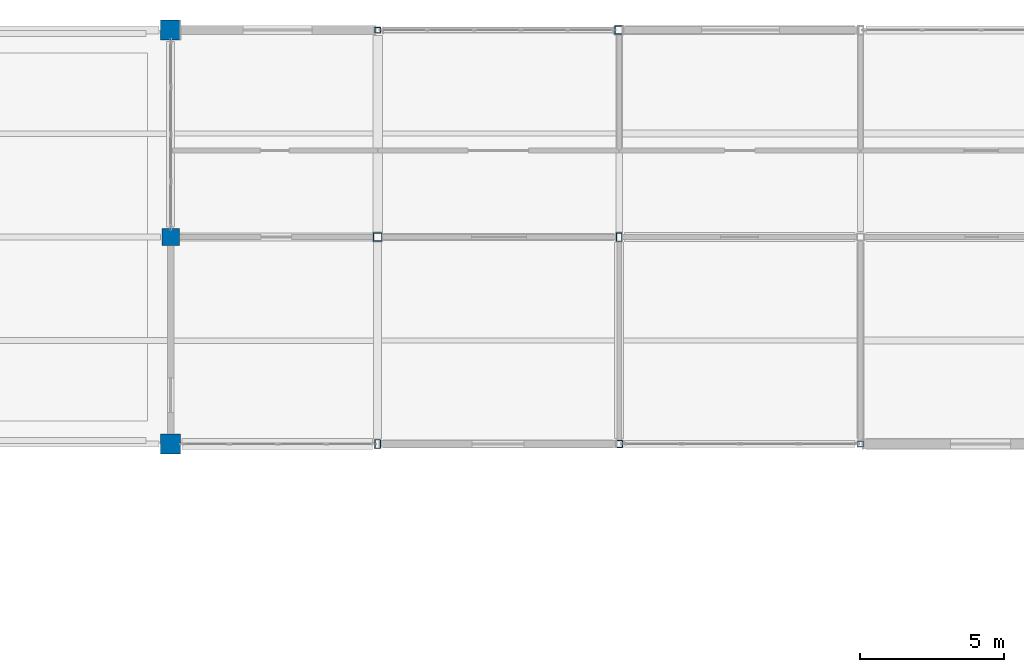
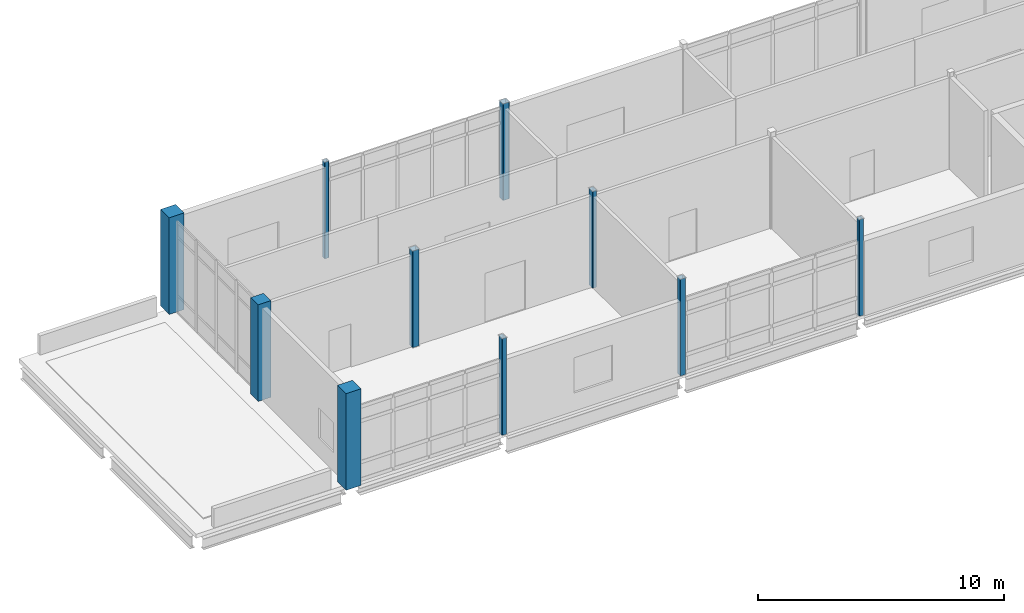
# One storey, part 10 of 153: 10 columns.
"""IFC4 building model written with IfcOpenShell, lengths in metres."""

from ifc_helpers import new_model, si_unit, direction, frame, origin, origin_2d, place, context, subcontext, project, spatial, rectangle, hollow_rectangle, extrude, material, material_profile, profile_set, type_object, element, save


model = new_model("IFC4")

# Units and contexts
model_context = context("Model", 3, precision=1e-05, world=origin(), true_north=direction((0.0, 1.0)))
body_context = subcontext(model_context, "Body", "Model", "MODEL_VIEW")
ifc_project = project(units=[si_unit("LENGTHUNIT", "METRE"), si_unit("AREAUNIT", "SQUARE_METRE"), si_unit("VOLUMEUNIT", "CUBIC_METRE"), si_unit("PLANEANGLEUNIT", "RADIAN"), si_unit("MASSUNIT", "GRAM", prefix="KILO")], contexts=[model_context])

# Site, building, storey
site_placement = place(None, origin())
site = spatial("IfcSite", under=ifc_project, at=site_placement, CompositionType="ELEMENT")
building_placement = place(site_placement, origin())
building = spatial("IfcBuilding", under=site, at=building_placement, Name="Calvrana Isthmian Art Gallery", CompositionType="ELEMENT")
storey_placement = place(building_placement, frame((0.0, 0.0, 10.199951171875)))
storey = spatial("IfcBuildingStorey", under=building, at=storey_placement, Name="L02", CompositionType="ELEMENT", Elevation=10.199951171875)

# Columns
ifc_material_1 = material(Name="Concrete C40/50", Category="concrete")
ifc_material_profile_1 = material_profile(ifc_material_1, rectangle(XDim=0.60009765625, YDim=0.60009765625, at=origin_2d()), Name="RC600X600")
ifc_profile_set_1 = profile_set([ifc_material_profile_1], Name="Concrete C40/50")
column_type_1 = type_object("IfcColumnType", Name="COL-RC-RC600X600", PredefinedType="COLUMN", material=ifc_profile_set_1)
column_1_placement = place(storey_placement, frame((14.39990234375, 105.60009765625, 0.0), z_axis=(0.0, 0.0, 1.0), x_axis=(1.0, 0.0, 0.0)))
element("IfcColumn", 1, at=column_1_placement, inside=storey, type_object=column_type_1, Name="Column 03/O L02", PredefinedType="COLUMN", context=body_context, shape_type="SweptSolid", body=[
    extrude(rectangle(XDim=0.60009765625, YDim=0.60009765625, at=origin_2d()), origin(), (0.0, 0.0, 1.0), 4.800048828125),
])
ifc_material_profile_2 = material_profile(ifc_material_1, rectangle(XDim=0.699951171875, YDim=0.699951171875, at=origin_2d()), Name="RC700X700")
ifc_profile_set_2 = profile_set([ifc_material_profile_2], Name="Concrete C40/50")
column_type_2 = type_object("IfcColumnType", Name="COL-RC-RC700X700", PredefinedType="COLUMN", material=ifc_profile_set_2)
for number, where, z_axis, x_axis, name in (
    (2, (14.39990234375, 98.39990234375, 0.0), (0.0, 0.0, 1.0), (1.0, 0.0, 0.0), "Column 03/N L02"),
    (3, (14.39990234375, 112.800048828125, 0.0), (0.0, 0.0, 1.0), (1.0, 0.0, 0.0), "Column 03/P L02"),
):
    element("IfcColumn", number, at=place(storey_placement, frame(where, z_axis=z_axis, x_axis=x_axis)), inside=storey, type_object=column_type_2, Name=name, PredefinedType="COLUMN", context=body_context, shape_type="SweptSolid", body=[
        extrude(rectangle(XDim=0.699951171875, YDim=0.699951171875, at=origin_2d()), origin(), (0.0, 0.0, 1.0), 4.800048828125),
    ])
ifc_material_2 = material(Name="Steel ASTM A500 Gr C", Category="steel")
ifc_material_profile_3 = material_profile(ifc_material_2, hollow_rectangle(XDim=0.203125, YDim=0.203125, WallThickness=0.0126953125, OuterFilletRadius=0.02490234375, at=origin_2d()), Name="HSS203X203X12.7")
ifc_profile_set_3 = profile_set([ifc_material_profile_3], Name="Steel ASTM A500 Gr C")
column_type_3 = type_object("IfcColumnType", Name="COL-STL-HSS203X203X12.7", PredefinedType="COLUMN", material=ifc_profile_set_3)
for number, where, z_axis, x_axis, name in (
    (4, (21.60009765625, 112.800048828125, 0.0), (0.0, 0.0, 1.0), (1.0, 0.0, 0.0), "Column 04/P L02"),
    (5, (38.39990234375, 98.39990234375, 0.0), (0.0, 0.0, 1.0), (1.0, 0.0, 0.0), "Column 06/N L02"),
):
    element("IfcColumn", number, at=place(storey_placement, frame(where, z_axis=z_axis, x_axis=x_axis)), inside=storey, type_object=column_type_3, Name=name, PredefinedType="COLUMN", context=body_context, shape_type="SweptSolid", body=[
        extrude(hollow_rectangle(XDim=0.203125, YDim=0.203125, WallThickness=0.0126953125, OuterFilletRadius=0.02490234375, at=origin_2d()), origin(), (0.0, 0.0, 1.0), 4.800048828125),
    ])
ifc_material_profile_4 = material_profile(ifc_material_2, hollow_rectangle(XDim=0.25390625, YDim=0.25390625, WallThickness=0.0126953125, OuterFilletRadius=0.02490234375, at=origin_2d()), Name="HSS254X254X12.7")
ifc_profile_set_4 = profile_set([ifc_material_profile_4], Name="Steel ASTM A500 Gr C")
column_type_4 = type_object("IfcColumnType", Name="COL-STL-HSS254X254X12.7", PredefinedType="COLUMN", material=ifc_profile_set_4)
column_2_placement = place(storey_placement, frame((30.0, 98.39990234375, 0.0), z_axis=(0.0, 0.0, 1.0), x_axis=(1.0, 0.0, 0.0)))
element("IfcColumn", 6, at=column_2_placement, inside=storey, type_object=column_type_4, Name="Column 05/N L02", PredefinedType="COLUMN", context=body_context, shape_type="SweptSolid", body=[
    extrude(hollow_rectangle(XDim=0.25390625, YDim=0.25390625, WallThickness=0.0126953125, OuterFilletRadius=0.02490234375, at=origin_2d()), origin(), (0.0, 0.0, 1.0), 4.800048828125),
])
ifc_material_profile_5 = material_profile(ifc_material_2, hollow_rectangle(XDim=0.203125, YDim=0.3046875, WallThickness=0.0126953125, OuterFilletRadius=0.02490234375, at=origin_2d()), Name="HSS305X203X12.7")
ifc_profile_set_5 = profile_set([ifc_material_profile_5], Name="Steel ASTM A500 Gr C")
column_type_5 = type_object("IfcColumnType", Name="COL-STL-HSS305X203X12.7", PredefinedType="COLUMN", material=ifc_profile_set_5)
for number, where, z_axis, x_axis, name in (
    (7, (21.60009765625, 98.39990234375, 0.0), (0.0, 0.0, 1.0), (1.0, 0.0, 0.0), "Column 04/N L02"),
    (8, (30.0, 105.60009765625, 0.0), (0.0, 0.0, 1.0), (1.0, 0.0, 0.0), "Column 05/O L02"),
):
    element("IfcColumn", number, at=place(storey_placement, frame(where, z_axis=z_axis, x_axis=x_axis)), inside=storey, type_object=column_type_5, Name=name, PredefinedType="COLUMN", context=body_context, shape_type="SweptSolid", body=[
        extrude(hollow_rectangle(XDim=0.203125, YDim=0.3046875, WallThickness=0.0126953125, OuterFilletRadius=0.02490234375, at=origin_2d()), origin(), (0.0, 0.0, 1.0), 4.800048828125),
    ])
ifc_material_profile_6 = material_profile(ifc_material_2, hollow_rectangle(XDim=0.3046875, YDim=0.3046875, WallThickness=0.015869140625, OuterFilletRadius=0.031982421875, at=origin_2d()), Name="HSS305X305X15.9")
ifc_profile_set_6 = profile_set([ifc_material_profile_6], Name="Steel ASTM A500 Gr C")
column_type_6 = type_object("IfcColumnType", Name="COL-STL-HSS305X305X15.9", PredefinedType="COLUMN", material=ifc_profile_set_6)
for number, where, z_axis, x_axis, name in (
    (9, (21.60009765625, 105.60009765625, 0.0), (0.0, 0.0, 1.0), (1.0, 0.0, 0.0), "Column 04/O L02"),
    (10, (30.0, 112.800048828125, 0.0), (0.0, 0.0, 1.0), (1.0, 0.0, 0.0), "Column 05/P L02"),
):
    element("IfcColumn", number, at=place(storey_placement, frame(where, z_axis=z_axis, x_axis=x_axis)), inside=storey, type_object=column_type_6, Name=name, PredefinedType="COLUMN", context=body_context, shape_type="SweptSolid", body=[
        extrude(hollow_rectangle(XDim=0.3046875, YDim=0.3046875, WallThickness=0.015869140625, OuterFilletRadius=0.031982421875, at=origin_2d()), origin(), (0.0, 0.0, 1.0), 4.800048828125),
    ])

save(model, "model.ifc")
